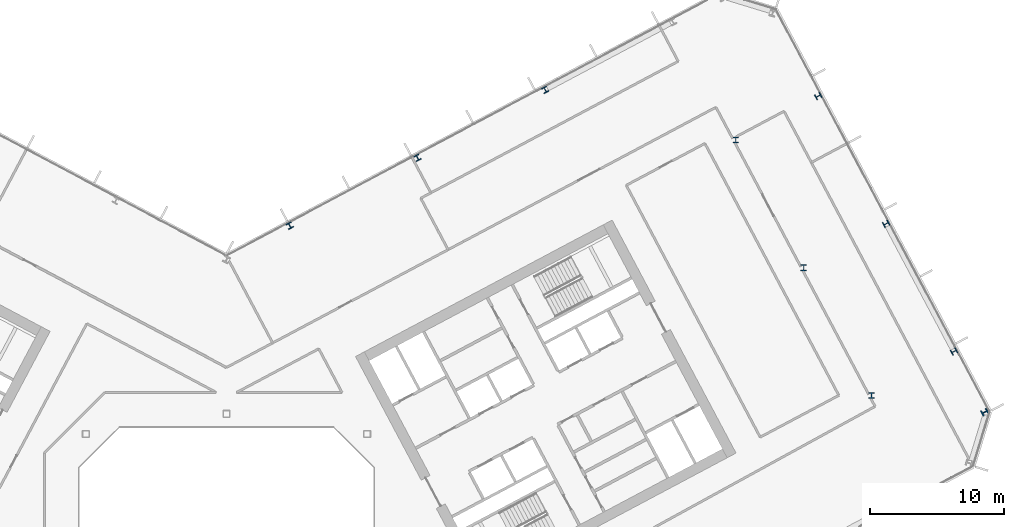
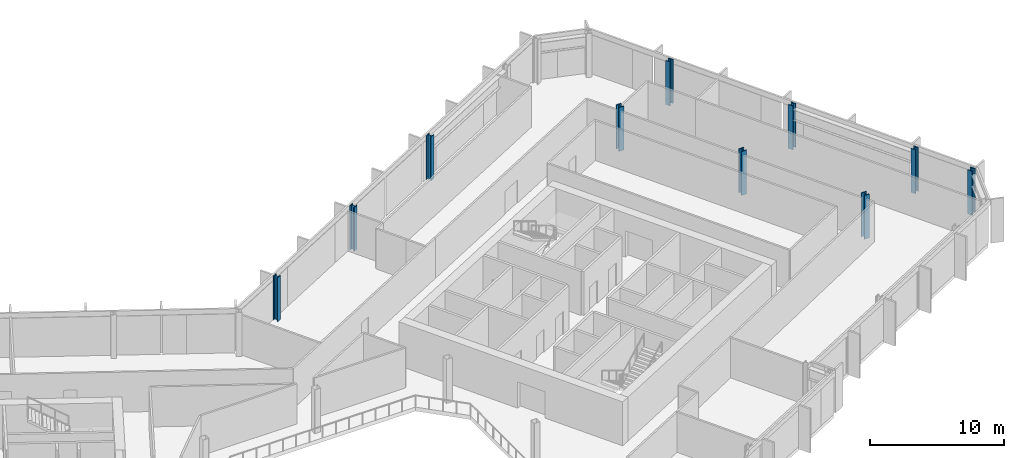
# One storey, part 7 of 28: 10 columns.
"""IFC4 building model written with IfcOpenShell, lengths in metres."""

import ifcopenshell
import ifcopenshell.guid

model = None  # the IFC model being written
_history = None  # IfcOwnerHistory: only IFC2X3 demands one
_inside = {}  # id of a spatial element -> (the spatial element, [elements in it])
_under = {}  # id of a project, library or spatial element -> (it, [spatial elements below it])
_declared = {}  # id of a project -> (the project, [libraries it declares])
_typed = {}  # id of a type object -> (the type object, [elements of that type])
_made_of = {}  # id of a material, layer set ... -> (it, [elements and type objects made of it])


def new_model(schema):
    """Start an empty IFC model of exactly this schema.

    Asked for "IFC4X3", IfcOpenShell would pick the latest addendum, in which some entities
    have other attributes; the version numbers below select the first issue.
    IFC2X3 requires an IfcOwnerHistory on every rooted entity: one is made here for all.
    """
    global model, _history
    if schema == "IFC4X3":
        model = ifcopenshell.file(schema_version=(4, 3, 0, 0))
    else:
        model = ifcopenshell.file(schema=schema)
    _inside.clear()
    _under.clear()
    _declared.clear()
    _typed.clear()
    _made_of.clear()
    _history = None
    if model.schema == "IFC2X3":
        org = make("IfcOrganization", Name="unknown")
        user = make(
            "IfcPersonAndOrganization",
            ThePerson=make("IfcPerson", FamilyName="unknown"),
            TheOrganization=org,
        )
        app = make(
            "IfcApplication",
            ApplicationDeveloper=org,
            Version="unknown",
            ApplicationFullName="unknown",
            ApplicationIdentifier="unknown",
        )
        _history = make(
            "IfcOwnerHistory",
            OwningUser=user,
            OwningApplication=app,
            ChangeAction="ADDED",
            CreationDate=0,
        )
    return model


def make(cls, **values):
    """One entity of the class cls with the attributes given. An attribute that is None is left unset."""
    return model.create_entity(
        cls, **{name: value for name, value in values.items() if value is not None}
    )


def rooted(cls, **values):
    """An entity with a GlobalId (a new one), such as an element, a storey or a relation."""
    return make(cls, GlobalId=ifcopenshell.guid.new(), OwnerHistory=_history, **values)


def si_unit(unit_type, name, prefix=None):
    """IfcSIUnit, for example si_unit("LENGTHUNIT", "METRE", prefix="MILLI")."""
    return make("IfcSIUnit", UnitType=unit_type, Prefix=prefix, Name=name)


def assignment(units):
    """IfcUnitAssignment: the units of a project."""
    return None if units is None else make("IfcUnitAssignment", Units=units)


def point(xyz):
    """IfcCartesianPoint."""
    return None if xyz is None else make("IfcCartesianPoint", Coordinates=xyz)


def direction(xyz):
    """IfcDirection."""
    return None if xyz is None else make("IfcDirection", DirectionRatios=xyz)


def frame(location, z_axis=None, x_axis=None):
    """IfcAxis2Placement3D, a coordinate frame: its origin and axes. An axis left out is left unset."""
    return make(
        "IfcAxis2Placement3D",
        Location=point(location),
        Axis=direction(z_axis),
        RefDirection=direction(x_axis),
    )


def frame_2d(location, x_axis=None):
    """IfcAxis2Placement2D, a coordinate frame in the plane: its origin and x axis."""
    return make(
        "IfcAxis2Placement2D", Location=point(location), RefDirection=direction(x_axis)
    )


def origin():
    """The frame at (0, 0, 0) with its axes left unset."""
    return frame((0.0, 0.0, 0.0))


def origin_2d():
    """The frame at (0, 0) in the plane with its x axis left unset."""
    return frame_2d((0.0, 0.0))


def place(relative_to, where):
    """IfcLocalPlacement: puts the frame where relative to a parent placement (None: the world)."""
    return make(
        "IfcLocalPlacement", PlacementRelTo=relative_to, RelativePlacement=where
    )


def context(
    kind, dimensions, precision=None, world=None, true_north=None, identifier=None
):
    """IfcGeometricRepresentationContext, for example the 3D "Model" context."""
    return make(
        "IfcGeometricRepresentationContext",
        ContextIdentifier=identifier,
        ContextType=kind,
        CoordinateSpaceDimension=dimensions,
        Precision=precision,
        WorldCoordinateSystem=world,
        TrueNorth=true_north,
    )


def subcontext(parent, identifier, kind, view, scale=None):
    """IfcGeometricRepresentationSubContext, for example "Body" below "Model"."""
    return make(
        "IfcGeometricRepresentationSubContext",
        ContextIdentifier=identifier,
        ContextType=kind,
        ParentContext=parent,
        TargetScale=scale,
        TargetView=view,
    )


def project(units=None, contexts=None):
    """IfcProject with its units and contexts."""
    return rooted(
        "IfcProject",
        Name="project",
        RepresentationContexts=contexts,
        UnitsInContext=assignment(units),
    )


def spatial(cls, under=None, at=None, **own):
    """A site, building, storey or space (cls), placed at a placement, below another one or the project."""
    s = rooted(cls, ObjectPlacement=at, **own)
    if under is not None:
        _under.setdefault(under.id(), (under, []))[1].append(s)
    return s


def profile(cls, at=None, kind="AREA", **sizes):
    """A parametric profile (cls). Its sizes go by their IFC names, for example OverallWidth=200.0."""
    return make(cls, ProfileType=kind, Position=at, **sizes)


def i_section(**sizes):
    """IfcIShapeProfileDef."""
    return profile("IfcIShapeProfileDef", **sizes)


def extrude(swept, where, along, depth):
    """IfcExtrudedAreaSolid: the profile swept, set in the frame where, extruded along a direction by depth."""
    return make(
        "IfcExtrudedAreaSolid",
        SweptArea=swept,
        Position=where,
        ExtrudedDirection=direction(along),
        Depth=depth,
    )


def shape(context_of_items, identifier, shape_type, items):
    """IfcShapeRepresentation: the items that make up one representation, for example the "Body"."""
    return make(
        "IfcShapeRepresentation",
        ContextOfItems=context_of_items,
        RepresentationIdentifier=identifier,
        RepresentationType=shape_type,
        Items=items,
    )


def material(Name=None, Category=None):
    """IfcMaterial."""
    return make("IfcMaterial", Name=Name, Category=Category)


def material_profile(
    of_material, cross_section, Name=None, Category=None, Priority=None
):
    """IfcMaterialProfile: a cross section and its material."""
    return make(
        "IfcMaterialProfile",
        Name=Name,
        Material=of_material,
        Profile=cross_section,
        Priority=Priority,
        Category=Category,
    )


def profile_set(profiles, Name=None, composite=None):
    """IfcMaterialProfileSet."""
    return make(
        "IfcMaterialProfileSet",
        Name=Name,
        MaterialProfiles=profiles,
        CompositeProfile=composite,
    )


def made_of(thing, what):
    """Note that an element or type object is made of a material, layer set ...; save() writes the relation."""
    if what is not None:
        _made_of.setdefault(what.id(), (what, []))[1].append(thing)
    return thing


def type_object(cls, material=None, **own):
    """A type object (cls), such as IfcWallType, which elements share."""
    return made_of(rooted(cls, **own), material)


def element(
    cls,
    number,
    at=None,
    inside=None,
    cuts=None,
    type_object=None,
    material=None,
    context=None,
    identifier="Body",
    shape_type=None,
    held_by="IfcProductDefinitionShape",
    body=None,
    shapes=None,
    **own,
):
    """One element of the class cls, such as IfcWall. Its Tag is "e" and its number.

    at: its placement. inside: the storey or other place that contains it. cuts: it is an
    opening in that element (IfcRelVoidsElement). A single representation is given by context,
    identifier, shape_type and body (its items); several are given by shapes. held_by: the class
    of the entity that holds the representations. save() writes the other relations.
    """
    e = rooted(cls, Tag="e%d" % number, ObjectPlacement=at, **own)
    if body is not None:
        shapes = [shape(context, identifier, shape_type, body)]
    if shapes is not None:
        e.Representation = make(held_by, Representations=shapes)
    if inside is not None:
        _inside.setdefault(inside.id(), (inside, []))[1].append(e)
    if cuts is not None:
        rooted(
            "IfcRelVoidsElement", RelatingBuildingElement=cuts, RelatedOpeningElement=e
        )
    if type_object is not None:
        _typed.setdefault(type_object.id(), (type_object, []))[1].append(e)
    return made_of(e, material)


def aggregate(whole, parts):
    """IfcRelAggregates: a whole, such as a stair, and the parts it consists of."""
    return rooted("IfcRelAggregates", RelatingObject=whole, RelatedObjects=parts)


def save(model, path):
    """Write the relations noted so far, then the file.

    IfcRelAggregates (storeys below a building ...), IfcRelContainedInSpatialStructure (elements
    in a storey), IfcRelDefinesByType, IfcRelAssociatesMaterial and IfcRelDeclares: one each for
    every whole, place, type object, material and project.
    """
    for whole, parts in _under.values():
        aggregate(whole, parts)
    for where, things in _inside.values():
        rooted(
            "IfcRelContainedInSpatialStructure",
            RelatedElements=things,
            RelatingStructure=where,
        )
    for kind, things in _typed.values():
        rooted("IfcRelDefinesByType", RelatedObjects=things, RelatingType=kind)
    for what, things in _made_of.values():
        rooted("IfcRelAssociatesMaterial", RelatedObjects=things, RelatingMaterial=what)
    for by, libraries in _declared.values():
        rooted("IfcRelDeclares", RelatingContext=by, RelatedDefinitions=libraries)
    model.write(path)


model = new_model("IFC4")

# Units and contexts
model_context = context("Model", 3, precision=1e-05, world=origin(), true_north=direction((0.0, 1.0)))
body_context = subcontext(model_context, "Body", "Model", "MODEL_VIEW")
ifc_project = project(units=[si_unit("LENGTHUNIT", "METRE"), si_unit("AREAUNIT", "SQUARE_METRE"), si_unit("VOLUMEUNIT", "CUBIC_METRE"), si_unit("PLANEANGLEUNIT", "RADIAN"), si_unit("MASSUNIT", "GRAM", prefix="KILO")], contexts=[model_context])

# Site, building, storey
site_placement = place(None, origin())
site = spatial("IfcSite", under=ifc_project, at=site_placement, CompositionType="ELEMENT")
building_placement = place(site_placement, origin())
building = spatial("IfcBuilding", under=site, at=building_placement, Name="Cormorant Relay Tower", CompositionType="ELEMENT")
storey_placement = place(building_placement, frame((0.0, 0.0, 166.199951171875)))
storey = spatial("IfcBuildingStorey", under=building, at=storey_placement, Name="L35", CompositionType="ELEMENT", Elevation=166.199951171875)

# Columns
ifc_material_1 = material(Name="Steel ASTM A992 (Fy 345 MPa)", Category="steel")
ifc_material_profile_1 = material_profile(ifc_material_1, i_section(OverallWidth=0.41162109375, OverallDepth=0.434326171875, WebThickness=0.035888671875, FlangeThickness=0.057373046875, FilletRadius=0.01513671875, at=origin_2d()), Name="W360x463")
ifc_profile_set_1 = profile_set([ifc_material_profile_1], Name="Steel ASTM A992 (Fy 345 MPa)")
column_type_1 = type_object("IfcColumnType", Name="Column W360x463", PredefinedType="COLUMN", material=ifc_profile_set_1)
for number, where, z_axis, x_axis, name in (
    (1, (54.321044921875, 16.65087890625, 0.0), (0.0, 0.0, 1.0), (-0.469471562786, 0.882947592859, 0.0), "Column L35-029"),
    (2, (4.72509765625, 26.047119140625, 0.0), (0.0, 0.0, 1.0), (-0.882947592859, -0.469471562786, 0.0), "Column L35-034"),
    (3, (49.2509765625, 26.18701171875, 0.0), (0.0, 0.0, 1.0), (-0.469471562786, 0.882947592859, 0.0), "Column L35-035"),
    (4, (14.260986328125, 31.116943359375, 0.0), (0.0, 0.0, 1.0), (-0.882947592859, -0.469471562786, 0.0), "Column L35-038"),
    (5, (44.180908203125, 35.722900390625, 0.0), (0.0, 0.0, 1.0), (-0.469471562786, 0.882947592859, 0.0), "Column L35-042"),
    (6, (23.7958984375, 36.18798828125, 0.0), (0.0, 0.0, 1.0), (-0.882947592859, -0.469471562786, 0.0), "Column L35-043"),
):
    element("IfcColumn", number, at=place(storey_placement, frame(where, z_axis=z_axis, x_axis=x_axis)), inside=storey, type_object=column_type_1, Name=name, PredefinedType="COLUMN", context=body_context, shape_type="SweptSolid", body=[
        extrude(i_section(OverallWidth=0.41162109375, OverallDepth=0.434326171875, WebThickness=0.035888671875, FlangeThickness=0.057373046875, FilletRadius=0.01513671875, at=origin_2d()), origin(), (0.0, 0.0, 1.0), 4.0),
    ])
ifc_material_2 = material(Name="Steel ASTM A992 (Fy 345 MPa)", Category="steel")
ifc_material_profile_2 = material_profile(ifc_material_2, i_section(OverallWidth=0.42431640625, OverallDepth=0.47509765625, WebThickness=0.0478515625, FlangeThickness=0.0771484375, FilletRadius=0.014892578125, at=origin_2d()), Name="W360x634")
ifc_profile_set_2 = profile_set([ifc_material_profile_2], Name="Steel ASTM A992 (Fy 345 MPa)")
column_type_2 = type_object("IfcColumnType", Name="Column W360x634", PredefinedType="COLUMN", material=ifc_profile_set_2)
for number, where, z_axis, x_axis, name in (
    (7, (56.60791015625, 12.1298828125, 0.0), (0.0, 0.0, 1.0), (-0.469471562786, 0.882947592859, 0.0), "Column L35-026"),
    (8, (48.157958984375, 13.3740234375, 0.0), (0.0, 0.0, 1.0), (1.0, 0.0, 0.0), "Column L35-027"),
    (9, (43.087890625, 22.909912109375, 0.0), (0.0, 0.0, 1.0), (1.0, 0.0, 0.0), "Column L35-031"),
    (10, (38.01806640625, 32.446044921875, 0.0), (0.0, 0.0, 1.0), (1.0, 0.0, 0.0), "Column L35-039"),
):
    element("IfcColumn", number, at=place(storey_placement, frame(where, z_axis=z_axis, x_axis=x_axis)), inside=storey, type_object=column_type_2, Name=name, PredefinedType="COLUMN", context=body_context, shape_type="SweptSolid", body=[
        extrude(i_section(OverallWidth=0.42431640625, OverallDepth=0.47509765625, WebThickness=0.0478515625, FlangeThickness=0.0771484375, FilletRadius=0.014892578125, at=origin_2d()), origin(), (0.0, 0.0, 1.0), 4.0),
    ])

save(model, "model.ifc")
